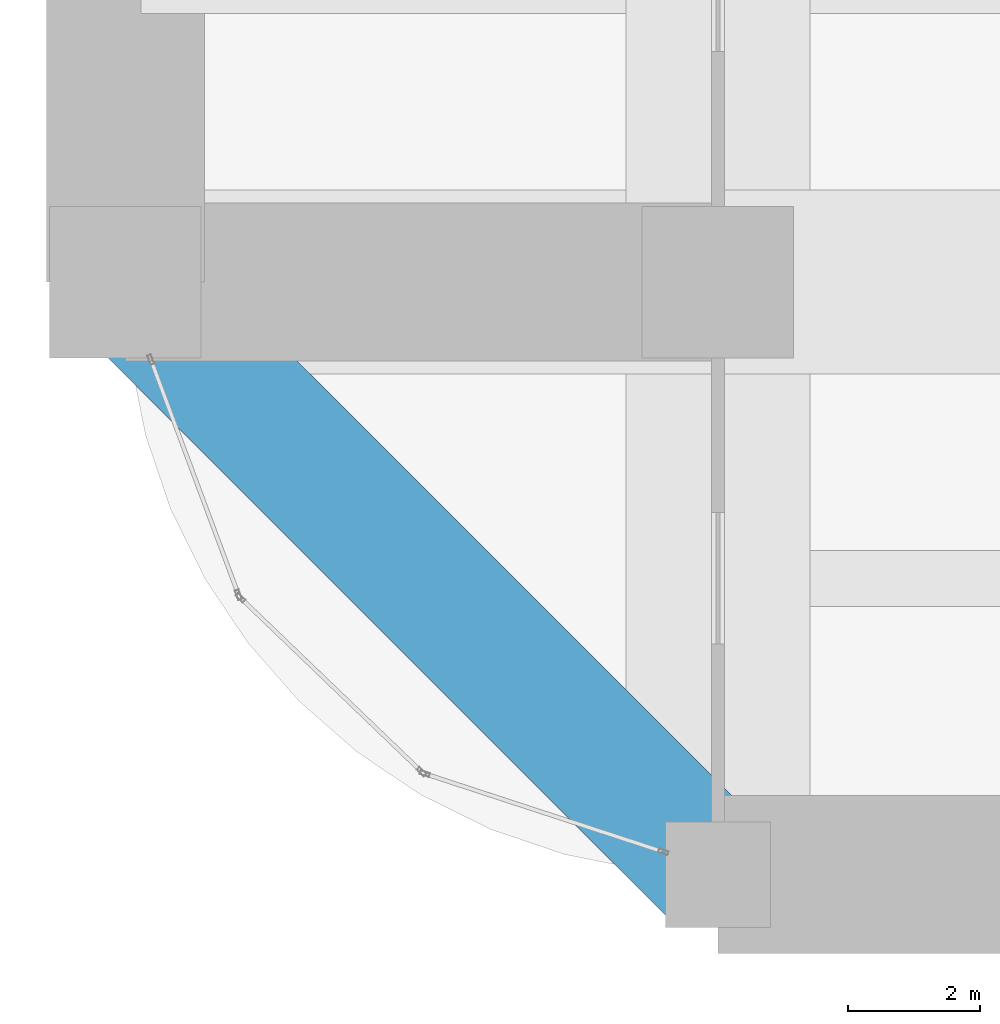
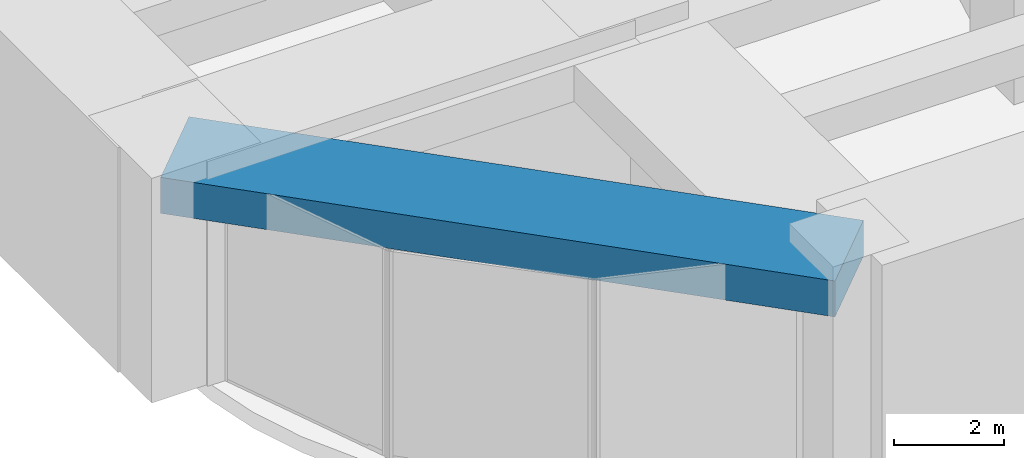
# One storey, part 3 of 32: 1 beam.
"""IFC4 building model written with IfcOpenShell, lengths in metres."""

from ifc_helpers import new_model, si_unit, direction, frame, origin, origin_2d, place, context, subcontext, project, spatial, rectangle, extrude, material, material_profile, profile_set, type_object, element, save


model = new_model("IFC4")

# Units and contexts
model_context = context("Model", 3, precision=1e-05, world=origin(), true_north=direction((0.0, 1.0)))
body_context = subcontext(model_context, "Body", "Model", "MODEL_VIEW")
ifc_project = project(units=[si_unit("LENGTHUNIT", "METRE"), si_unit("AREAUNIT", "SQUARE_METRE"), si_unit("VOLUMEUNIT", "CUBIC_METRE"), si_unit("PLANEANGLEUNIT", "RADIAN"), si_unit("MASSUNIT", "GRAM", prefix="KILO")], contexts=[model_context])

# Site, building, storey
site_placement = place(None, origin())
site = spatial("IfcSite", under=ifc_project, at=site_placement, CompositionType="ELEMENT")
building_placement = place(site_placement, origin())
building = spatial("IfcBuilding", under=site, at=building_placement, Name="Zorevar Civic Tower", CompositionType="ELEMENT")
storey_placement = place(building_placement, frame((0.0, 0.0, 234.39990234375)))
storey = spatial("IfcBuildingStorey", under=building, at=storey_placement, Name="L57", CompositionType="ELEMENT", Elevation=234.39990234375)

# Beam
ifc_material = material(Name="Concrete C50/60", Category="concrete")
ifc_material_profile = material_profile(ifc_material, rectangle(XDim=2.0, YDim=0.800048828125, at=origin_2d()), Name="RC 2000x800")
ifc_profile_set = profile_set([ifc_material_profile], Name="Concrete C50/60")
beam_type = type_object("IfcBeamType", Name="Edge beam RC 2000x800", PredefinedType="SPANDREL", material=ifc_profile_set)
beam_placement = place(storey_placement, frame((0.0, 9.0, 4.2001953125), z_axis=(0.707106781187, -0.707106781187, 0.0), x_axis=(0.707106781187, 0.707106781187, 0.0)))
element("IfcBeam", 1, at=beam_placement, inside=storey, type_object=beam_type, Name="Corner edge beam L58", PredefinedType="SPANDREL", context=body_context, shape_type="SweptSolid", body=[
    extrude(rectangle(XDim=2.0, YDim=0.800048828125, at=origin_2d()), origin(), (0.0, 0.0, 1.0), 12.72802734375),
])

save(model, "model.ifc")
